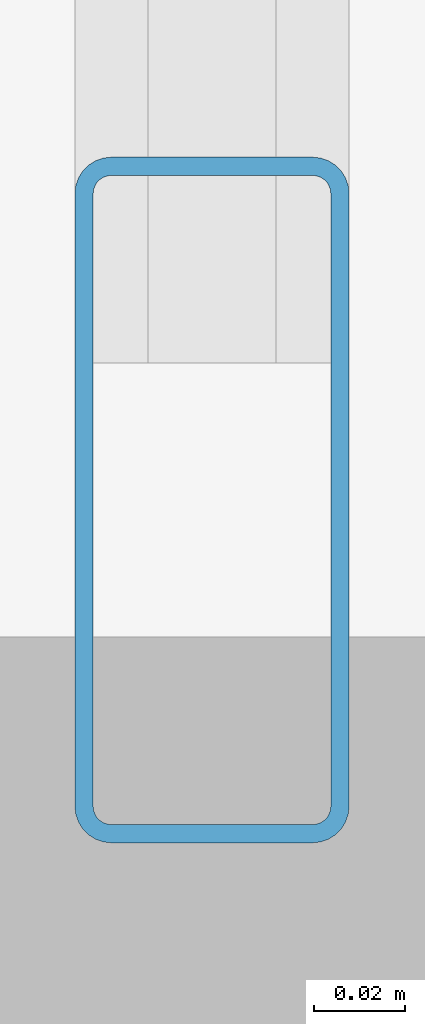
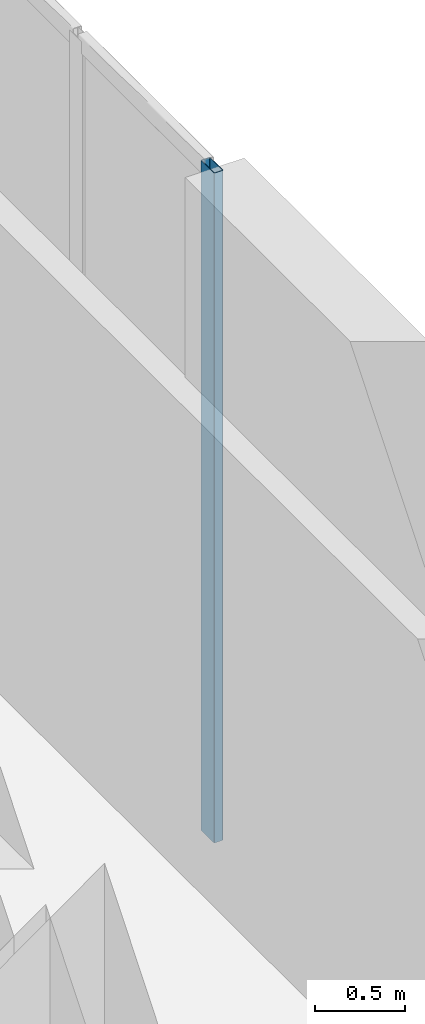
# One storey, part 5 of 18: 1 member, 1 element without a shape of its own.
"""IFC4 building model written with IfcOpenShell, lengths in metres."""

from ifc_helpers import new_model, entity, si_unit, converted_unit, direction, frame, origin_with_axes, origin_2d_with_axis, place, context, subcontext, project, spatial, hollow_rectangle, extrude, material, material_profile, profile_set, type_object, element, aggregate, save


model = new_model("IFC4")

# Units and contexts
model_context = context("Model", 3, precision=1e-05, world=origin_with_axes(), true_north=direction((0.0, 1.0)))
body_context = subcontext(model_context, "Body", "Model", "MODEL_VIEW")
ifc_project = project(units=[si_unit("LENGTHUNIT", "METRE"), si_unit("AREAUNIT", "SQUARE_METRE"), si_unit("VOLUMEUNIT", "CUBIC_METRE"), converted_unit("PLANEANGLEUNIT", "DEGREE", entity("IfcPlaneAngleMeasure", 0.017453292519943295), si_unit("PLANEANGLEUNIT", "RADIAN"), dimensions=[0, 0, 0, 0, 0, 0, 0]), si_unit("MASSUNIT", "GRAM", prefix="KILO"), si_unit("THERMODYNAMICTEMPERATUREUNIT", "KELVIN")], contexts=[model_context])

# Site, building, storey
site_placement = place(None, origin_with_axes())
site = spatial("IfcSite", under=ifc_project, at=site_placement, CompositionType="ELEMENT")
building_placement = place(site_placement, origin_with_axes())
building = spatial("IfcBuilding", under=site, at=building_placement, Name="Varnlund Millrace Tower", CompositionType="ELEMENT")
storey_placement = place(building_placement, frame((0.0, 0.0, 124.2), z_axis=(0.0, 0.0, 1.0), x_axis=(1.0, 0.0, 0.0)))
storey = spatial("IfcBuildingStorey", under=building, at=storey_placement, Name="L30", CompositionType="ELEMENT", Elevation=124.2)

# Curtain wall, member
ifc_material_1 = material(Name="Thermally broken architectural bronze curtain wall", Category="aluminium")
curtain_wall_type = type_object("IfcCurtainWallType", Name="Type-CW-Sys5-SkyLobby2Pool", PredefinedType="NOTDEFINED", material=ifc_material_1)
curtain_wall_placement = place(storey_placement, frame((21.41, 36.45, 0.0), z_axis=(0.0, 0.0, 1.0), x_axis=(1.0, 0.0, 0.0)))
curtain_wall = element("IfcCurtainWall", 1, at=curtain_wall_placement, inside=storey, type_object=curtain_wall_type, Name="Type-CW-Sys5-SkyLobby2Pool", PredefinedType="NOTDEFINED")
ifc_material_2 = material(Name="Architectural bronze aluminium alloy 6063-T6", Category="aluminium")
ifc_material_profile = material_profile(ifc_material_2, hollow_rectangle(XDim=0.06, YDim=0.15, WallThickness=0.004, InnerFilletRadius=0.004, OuterFilletRadius=0.008, at=origin_2d_with_axis()), Name="Architectural bronze aluminium alloy 6063-T6")
ifc_profile_set = profile_set([ifc_material_profile], Name="Architectural bronze aluminium alloy 6063-T6")
member_type = type_object("IfcMemberType", Name="Type-CW-Mullion-60X150", PredefinedType="MULLION", material=ifc_profile_set)
member_placement = place(storey_placement, frame((21.41, 31.98, 0.0), z_axis=(0.0, 0.0, 1.0), x_axis=(1.0, 0.0, 0.0)))
member = element("IfcMember", 2, at=member_placement, type_object=member_type, Name="CW-05 mullion 4", PredefinedType="MULLION", context=body_context, shape_type="SweptSolid", body=[
    extrude(hollow_rectangle(XDim=0.06, YDim=0.15, WallThickness=0.004, InnerFilletRadius=0.004, OuterFilletRadius=0.008, at=origin_2d_with_axis()), origin_with_axes(), (0.0, 0.0, 1.0), 4.56),
])
aggregate(curtain_wall, [member])

save(model, "model.ifc")
